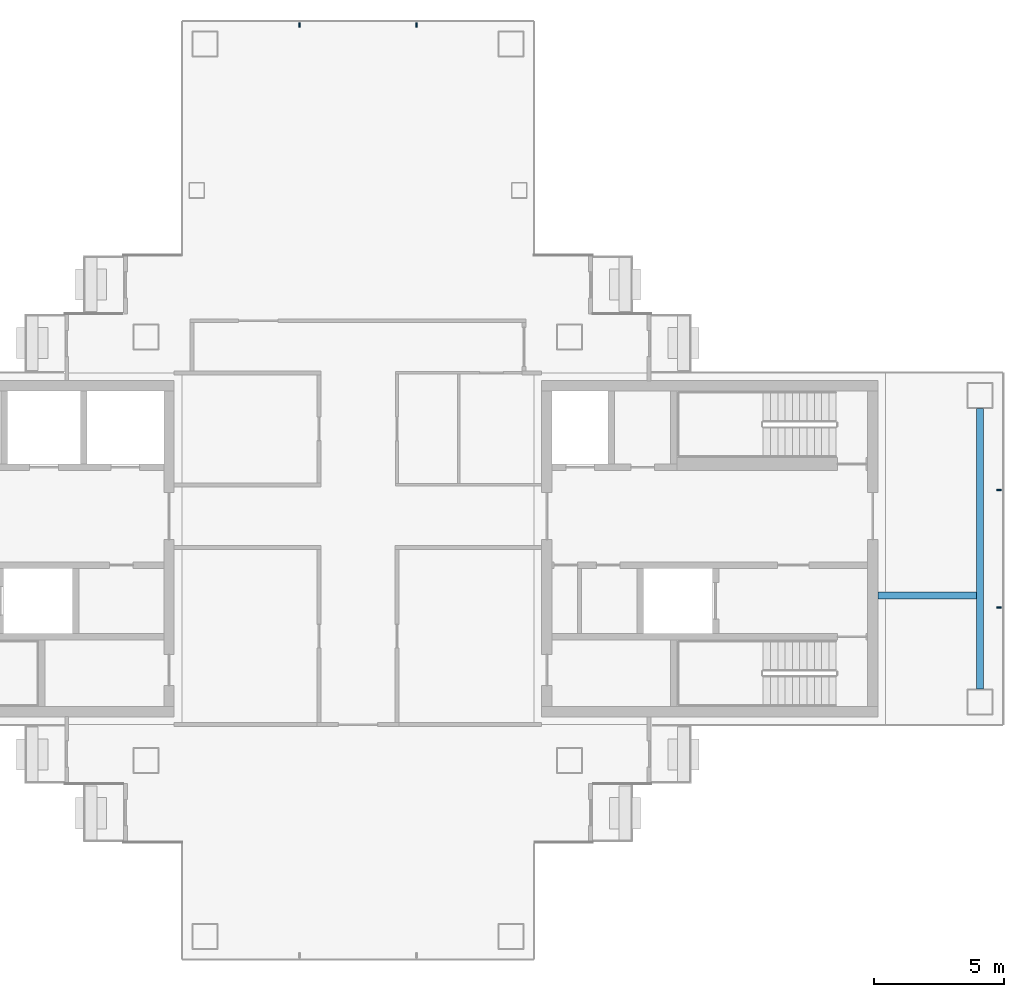
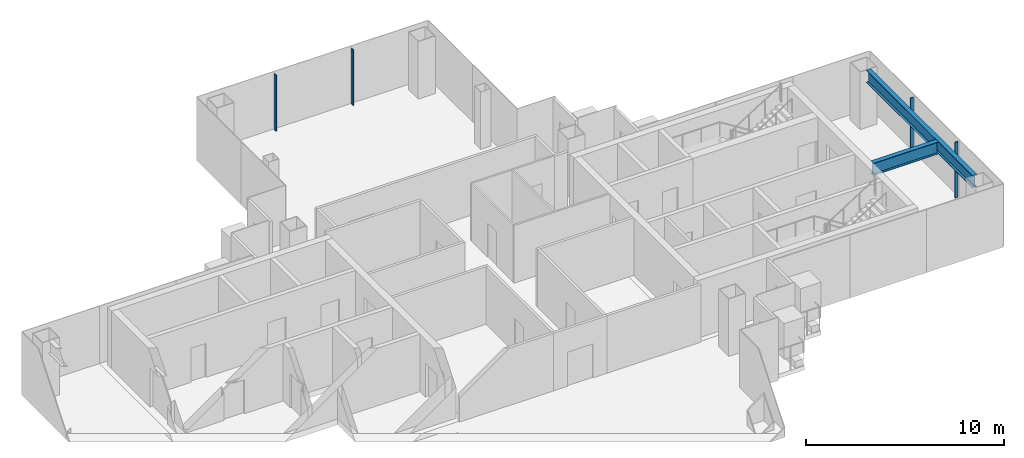
# One storey, part 6 of 16: 4 members, 2 beams, 2 elements without a shape of their own.
"""IFC4 building model written with IfcOpenShell, lengths in metres."""

from ifc_helpers import new_model, si_unit, direction, frame, origin, origin_2d, place, context, subcontext, project, spatial, rectangle, i_section, extrude, material, layer, layer_set, material_profile, profile_set, type_object, element, aggregate, save


model = new_model("IFC4")

# Units and contexts
model_context = context("Model", 3, precision=1e-05, world=origin(), true_north=direction((0.0, 1.0)))
body_context = subcontext(model_context, "Body", "Model", "MODEL_VIEW")
ifc_project = project(units=[si_unit("LENGTHUNIT", "METRE"), si_unit("AREAUNIT", "SQUARE_METRE"), si_unit("VOLUMEUNIT", "CUBIC_METRE"), si_unit("PLANEANGLEUNIT", "RADIAN"), si_unit("MASSUNIT", "GRAM", prefix="KILO")], contexts=[model_context])

# Site, building, storey
site_placement = place(None, origin())
site = spatial("IfcSite", under=ifc_project, at=site_placement, CompositionType="ELEMENT")
building_placement = place(site_placement, origin())
building = spatial("IfcBuilding", under=site, at=building_placement, Name="Shamsa Quay Exchange Towers", CompositionType="ELEMENT")
storey_placement = place(building_placement, frame((0.0, 0.0, 213.89990234375)))
storey = spatial("IfcBuildingStorey", under=building, at=storey_placement, Name="L51", CompositionType="ELEMENT", Elevation=213.89990234375)

# Curtain wall, members
ifc_material_1 = material(Name="Aluminium EN AW-6063 T6, black anodised", Category="aluminium")
ifc_layer = layer(ifc_material_1, 0.280029296875)
ifc_layer_set = layer_set([ifc_layer], Name="CW-1 UNITISED VISION GLASS")
curtain_wall_type = type_object("IfcCurtainWallType", Name="CW-1 UNITISED VISION GLASS", PredefinedType="NOTDEFINED", material=ifc_layer_set)
curtain_wall_1_placement = place(storey_placement, origin())
curtain_wall_1 = element("IfcCurtainWall", 1, at=curtain_wall_1_placement, inside=storey, type_object=curtain_wall_type, Name="CW1 T2-END-V- L51", PredefinedType="NOTDEFINED")
ifc_material_profile_1 = material_profile(ifc_material_1, rectangle(XDim=0.179931640625, YDim=0.06005859375, at=origin_2d()), Name="MU60x180")
ifc_profile_set_1 = profile_set([ifc_material_profile_1], Name="Aluminium EN AW-6063 T6, black anodised")
member_type = type_object("IfcMemberType", Name="CW1 MULLION 60x180", PredefinedType="MULLION", material=ifc_profile_set_1)
member_1_placement = place(storey_placement, frame((58.35009765625, -2.25, 0.0), z_axis=(0.0, 0.0, 1.0), x_axis=(-1.0, 0.0, 0.0)))
member_1 = element("IfcMember", 2, at=member_1_placement, type_object=member_type, Name="CW1 mullion", PredefinedType="MULLION", context=body_context, shape_type="SweptSolid", body=[
    extrude(rectangle(XDim=0.179931640625, YDim=0.06005859375, at=origin_2d()), origin(), (0.0, 0.0, 1.0), 3.4501953125),
])
member_2_placement = place(storey_placement, frame((58.35009765625, 2.25, 0.0), z_axis=(0.0, 0.0, 1.0), x_axis=(-1.0, 0.0, 0.0)))
member_2 = element("IfcMember", 3, at=member_2_placement, type_object=member_type, Name="CW1 mullion", PredefinedType="MULLION", context=body_context, shape_type="SweptSolid", body=[
    extrude(rectangle(XDim=0.179931640625, YDim=0.06005859375, at=origin_2d()), origin(), (0.0, 0.0, 1.0), 3.4501953125),
])
aggregate(curtain_wall_1, [member_1, member_2])

curtain_wall_2_placement = place(storey_placement, origin())
curtain_wall_2 = element("IfcCurtainWall", 4, at=curtain_wall_2_placement, inside=storey, type_object=curtain_wall_type, Name="CW1 T2-END-U+ L51", PredefinedType="NOTDEFINED")
member_3_placement = place(storey_placement, frame((36.0, 20.10009765625, 0.0), z_axis=(0.0, 0.0, 1.0), x_axis=(0.0, -1.0, 0.0)))
member_3 = element("IfcMember", 5, at=member_3_placement, type_object=member_type, Name="CW1 mullion", PredefinedType="MULLION", context=body_context, shape_type="SweptSolid", body=[
    extrude(rectangle(XDim=0.179931640625, YDim=0.06005859375, at=origin_2d()), origin(), (0.0, 0.0, 1.0), 3.4501953125),
])
member_4_placement = place(storey_placement, frame((31.5, 20.10009765625, 0.0), z_axis=(0.0, 0.0, 1.0), x_axis=(0.0, -1.0, 0.0)))
member_4 = element("IfcMember", 6, at=member_4_placement, type_object=member_type, Name="CW1 mullion", PredefinedType="MULLION", context=body_context, shape_type="SweptSolid", body=[
    extrude(rectangle(XDim=0.179931640625, YDim=0.06005859375, at=origin_2d()), origin(), (0.0, 0.0, 1.0), 3.4501953125),
])
aggregate(curtain_wall_2, [member_3, member_4])

# Beams
ifc_material_2 = material(Name="Steel S355", Category="steel")
ifc_material_profile_2 = material_profile(ifc_material_2, i_section(OverallWidth=0.26611328125, OverallDepth=0.7578125, WebThickness=0.013916015625, FlangeThickness=0.019287109375, at=origin_2d()), Name="W30x108")
ifc_profile_set_2 = profile_set([ifc_material_profile_2], Name="Steel S355")
beam_type = type_object("IfcBeamType", Name="End-zone beam W30x108", PredefinedType="BEAM", material=ifc_profile_set_2)
beam_1_placement = place(storey_placement, frame((57.625, -5.375, 3.171142578125), z_axis=(0.0, 1.0, 0.0), x_axis=(-1.0, 0.0, 0.0)))
element("IfcBeam", 7, at=beam_1_placement, inside=storey, type_object=beam_type, Name="End beam T2 V- end zone L51", PredefinedType="BEAM", context=body_context, shape_type="SweptSolid", body=[
    extrude(i_section(OverallWidth=0.26611328125, OverallDepth=0.7578125, WebThickness=0.013916015625, FlangeThickness=0.019287109375, at=origin_2d()), origin(), (0.0, 0.0, 1.0), 10.75),
])
beam_2_placement = place(storey_placement, frame((53.699951171875, -1.800048828125, 3.171142578125), z_axis=(1.0, 0.0, 0.0), x_axis=(0.0, 1.0, 0.0)))
element("IfcBeam", 8, at=beam_2_placement, inside=storey, type_object=beam_type, Name="Spine beam T2 V- end zone L51", PredefinedType="BEAM", context=body_context, shape_type="SweptSolid", body=[
    extrude(i_section(OverallWidth=0.26611328125, OverallDepth=0.7578125, WebThickness=0.013916015625, FlangeThickness=0.019287109375, at=origin_2d()), origin(), (0.0, 0.0, 1.0), 3.7919921875),
])

save(model, "model.ifc")
